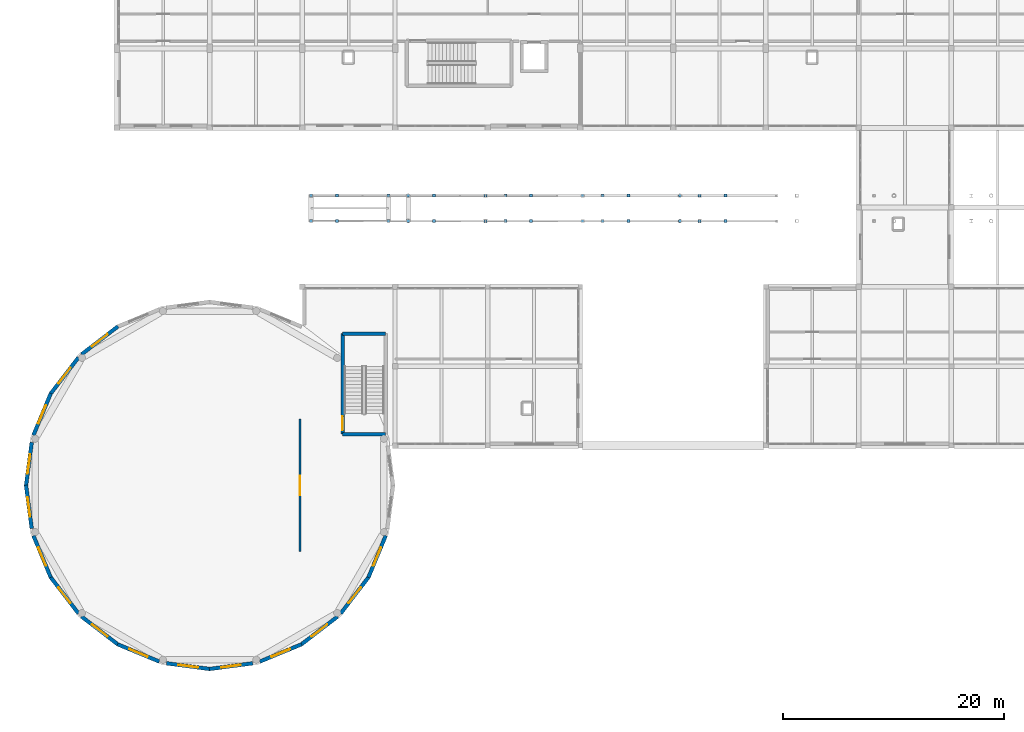
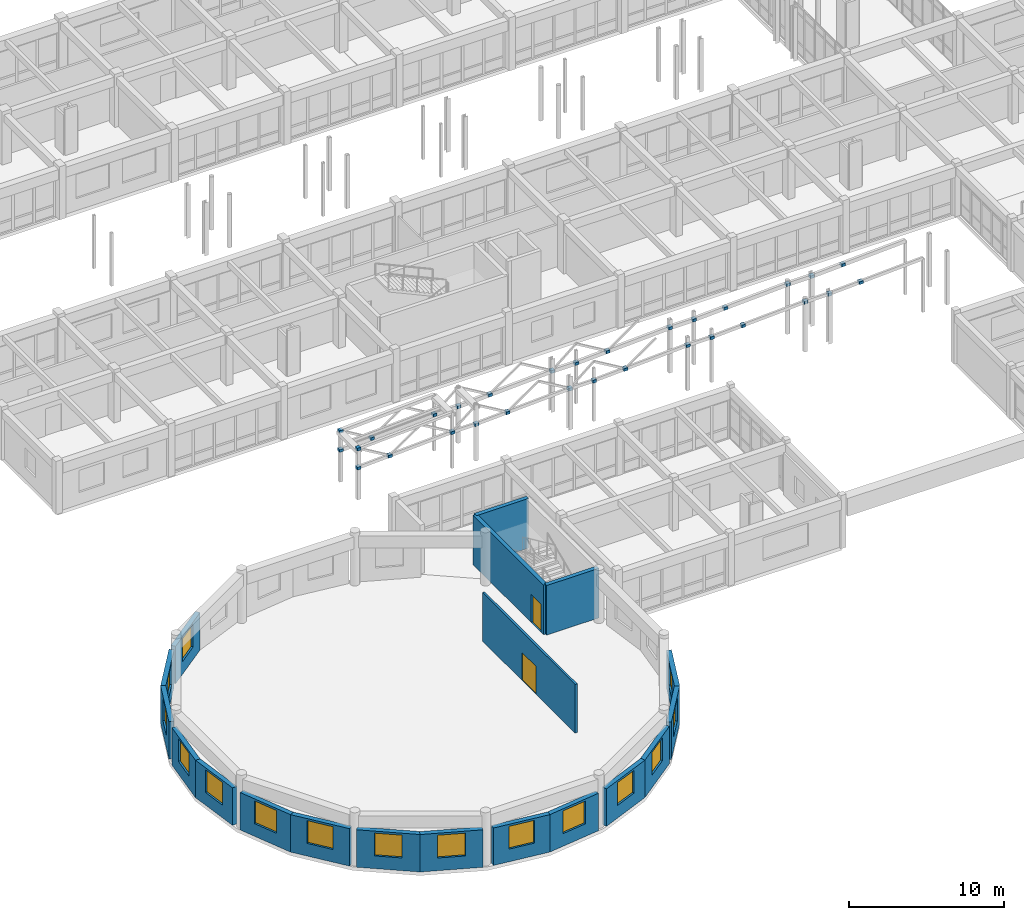
# One storey, part 124 of 147: 30 plates, 19 walls, 15 windows, 2 doors, 17 openings.
"""IFC4 building model written with IfcOpenShell, lengths in metres."""

from ifc_helpers import new_model, si_unit, direction, frame, frame_2d, origin, origin_2d, place, context, subcontext, project, spatial, rectangle, extrude, material, layer, layer_set, type_object, element, fill, save


model = new_model("IFC4")

# Units and contexts
model_context = context("Model", 3, precision=1e-05, world=origin(), true_north=direction((0.0, 1.0)))
body_context = subcontext(model_context, "Body", "Model", "MODEL_VIEW")
ifc_project = project(units=[si_unit("LENGTHUNIT", "METRE"), si_unit("AREAUNIT", "SQUARE_METRE"), si_unit("VOLUMEUNIT", "CUBIC_METRE"), si_unit("PLANEANGLEUNIT", "RADIAN"), si_unit("MASSUNIT", "GRAM", prefix="KILO")], contexts=[model_context])

# Site, building, storey
site_placement = place(None, origin())
site = spatial("IfcSite", under=ifc_project, at=site_placement, CompositionType="ELEMENT")
building_placement = place(site_placement, origin())
building = spatial("IfcBuilding", under=site, at=building_placement, Name="Malvenik Polytechnic", CompositionType="ELEMENT")
storey_placement = place(building_placement, frame((0.0, 0.0, 5.10009765625)))
storey = spatial("IfcBuildingStorey", under=building, at=storey_placement, Name="L01", CompositionType="ELEMENT", Elevation=5.10009765625)

# Plates
ifc_material_1 = material(Name="Steel S355J2H", Category="steel")
ifc_layer_1 = layer(ifc_material_1, 0.034912109375)
ifc_layer_set_1 = layer_set([ifc_layer_1], Name="Steel S355J2H")
plate_type = type_object("IfcPlateType", Name="STR-PLT-NP-03", PredefinedType="USERDEFINED", material=ifc_layer_set_1)
for number, where, z_axis, x_axis, name in (
    (1, (26.0, 41.949951171875, 3.8701171875), (0.0, 0.0, 1.0), (1.0, 0.0, 0.0), "Warren Joint Node Plate RB-01"),
    (2, (26.0, 41.949951171875, 2.3701171875), (0.0, 0.0, 1.0), (1.0, 0.0, 0.0), "Warren Joint Node Plate RB-01"),
    (3, (33.0, 41.949951171875, 2.7197265625), (0.0, 0.0, 1.0), (1.0, 0.0, 0.0), "Warren Joint Node Plate RB-01"),
    (4, (34.800048828125, 41.949951171875, 2.7197265625), (0.0, 0.0, 1.0), (1.0, 0.0, 0.0), "Warren Joint Node Plate RB-01"),
    (5, (41.800048828125, 41.949951171875, 3.06982421875), (0.0, 0.0, 1.0), (1.0, 0.0, 0.0), "Warren Joint Node Plate RB-01"),
    (6, (43.60009765625, 41.949951171875, 3.06982421875), (0.0, 0.0, 1.0), (1.0, 0.0, 0.0), "Warren Joint Node Plate RB-01"),
    (7, (50.60009765625, 41.949951171875, 3.419921875), (0.0, 0.0, 1.0), (1.0, 0.0, 0.0), "Warren Joint Node Plate RB-01"),
    (8, (52.39990234375, 41.949951171875, 3.419921875), (0.0, 0.0, 1.0), (1.0, 0.0, 0.0), "Warren Joint Node Plate RB-01"),
    (9, (59.39990234375, 41.949951171875, 3.77001953125), (0.0, 0.0, 1.0), (1.0, 0.0, 0.0), "Warren Joint Node Plate RB-01"),
    (10, (61.199951171875, 41.949951171875, 3.77001953125), (0.0, 0.0, 1.0), (1.0, 0.0, 0.0), "Warren Joint Node Plate RB-01"),
    (11, (28.333251953125, 41.949951171875, 2.48681640625), (0.0, 0.0, 1.0), (1.0, 0.0, 0.0), "Warren Web Node Plate RB-01"),
    (12, (37.13330078125, 41.949951171875, 2.83642578125), (0.0, 0.0, 1.0), (1.0, 0.0, 0.0), "Warren Web Node Plate RB-01"),
    (13, (45.933349609375, 41.949951171875, 3.1865234375), (0.0, 0.0, 1.0), (1.0, 0.0, 0.0), "Warren Web Node Plate RB-01"),
    (14, (54.7333984375, 41.949951171875, 3.53662109375), (0.0, 0.0, 1.0), (1.0, 0.0, 0.0), "Warren Web Node Plate RB-01"),
    (15, (63.533203125, 41.949951171875, 3.88671875), (0.0, 0.0, 1.0), (1.0, 0.0, 0.0), "Warren Web Node Plate RB-01"),
    (16, (26.0, 44.25, 3.8701171875), (0.0, 0.0, 1.0), (1.0, 0.0, 0.0), "Warren Joint Node Plate RB-01"),
    (17, (26.0, 44.25, 2.3701171875), (0.0, 0.0, 1.0), (1.0, 0.0, 0.0), "Warren Joint Node Plate RB-01"),
    (18, (33.0, 44.25, 2.7197265625), (0.0, 0.0, 1.0), (1.0, 0.0, 0.0), "Warren Joint Node Plate RB-01"),
    (19, (34.800048828125, 44.25, 2.7197265625), (0.0, 0.0, 1.0), (1.0, 0.0, 0.0), "Warren Joint Node Plate RB-01"),
    (20, (41.800048828125, 44.25, 3.06982421875), (0.0, 0.0, 1.0), (1.0, 0.0, 0.0), "Warren Joint Node Plate RB-01"),
    (21, (43.60009765625, 44.25, 3.06982421875), (0.0, 0.0, 1.0), (1.0, 0.0, 0.0), "Warren Joint Node Plate RB-01"),
    (22, (50.60009765625, 44.25, 3.419921875), (0.0, 0.0, 1.0), (1.0, 0.0, 0.0), "Warren Joint Node Plate RB-01"),
    (23, (52.39990234375, 44.25, 3.419921875), (0.0, 0.0, 1.0), (1.0, 0.0, 0.0), "Warren Joint Node Plate RB-01"),
    (24, (59.39990234375, 44.25, 3.77001953125), (0.0, 0.0, 1.0), (1.0, 0.0, 0.0), "Warren Joint Node Plate RB-01"),
    (25, (61.199951171875, 44.25, 3.77001953125), (0.0, 0.0, 1.0), (1.0, 0.0, 0.0), "Warren Joint Node Plate RB-01"),
    (26, (28.333251953125, 44.25, 2.48681640625), (0.0, 0.0, 1.0), (1.0, 0.0, 0.0), "Warren Web Node Plate RB-01"),
    (27, (37.13330078125, 44.25, 2.83642578125), (0.0, 0.0, 1.0), (1.0, 0.0, 0.0), "Warren Web Node Plate RB-01"),
    (28, (45.933349609375, 44.25, 3.1865234375), (0.0, 0.0, 1.0), (1.0, 0.0, 0.0), "Warren Web Node Plate RB-01"),
    (29, (54.7333984375, 44.25, 3.53662109375), (0.0, 0.0, 1.0), (1.0, 0.0, 0.0), "Warren Web Node Plate RB-01"),
    (30, (63.533203125, 44.25, 3.88671875), (0.0, 0.0, 1.0), (1.0, 0.0, 0.0), "Warren Web Node Plate RB-01"),
):
    element("IfcPlate", number, at=place(storey_placement, frame(where, z_axis=z_axis, x_axis=x_axis)), inside=storey, type_object=plate_type, Name=name, ObjectType="GUSSET PLATE", PredefinedType="USERDEFINED", context=body_context, shape_type="SweptSolid", body=[
        extrude(rectangle(XDim=0.280029296875, YDim=0.280029296875, at=origin_2d()), origin(), (0.0, 0.0, 1.0), 0.219970703125),
    ])

# Wall
ifc_material_2 = material(Name="Concrete C35/45", Category="concrete")
ifc_layer_2 = layer(ifc_material_2, 0.300048828125)
ifc_layer_set_2 = layer_set([ifc_layer_2], Name="Concrete C35/45")
wall_type_1 = type_object("IfcWallType", Name="ARC-CW-S300", PredefinedType="SHEAR", material=ifc_layer_set_2)
wall_1_placement = place(storey_placement, frame((32.75, 22.64990234375, 0.0), z_axis=(0.0, 0.0, 1.0), x_axis=(-1.0, 0.0, 0.0)))
element("IfcWall", 31, at=wall_1_placement, inside=storey, type_object=wall_type_1, Name="Stair Core Shear Wall ST-09 L01 NEAR", PredefinedType="SHEAR", context=body_context, shape_type="SweptSolid", body=[
    extrude(rectangle(XDim=3.89990234375, YDim=0.300048828125, at=frame_2d((1.949951171875, 0.0))), origin(), (0.0, 0.0, 1.0), 3.919921875),
])

# Wall, opening, door
wall_2_placement = place(storey_placement, frame((28.85009765625, 22.64990234375, 0.0), z_axis=(0.0, 0.0, 1.0), x_axis=(0.0, 1.0, 0.0)))
wall_2 = element("IfcWall", 32, at=wall_2_placement, inside=storey, type_object=wall_type_1, Name="Stair Core Shear Wall ST-09 L01 RGHT", PredefinedType="SHEAR", context=body_context, shape_type="SweptSolid", body=[
    extrude(rectangle(XDim=9.10009765625, YDim=0.300048828125, at=frame_2d((4.550048828125, 0.0))), origin(), (0.0, 0.0, 1.0), 3.919921875),
])
opening_1_placement = place(wall_2_placement, frame((0.35009765625, 0.0, 0.0)))
opening_1 = element("IfcOpeningElement", 33, at=opening_1_placement, cuts=wall_2, Name="Opening SD-02", PredefinedType="OPENING", context=body_context, shape_type="SweptSolid", body=[
    extrude(rectangle(XDim=1.25, YDim=2.199951171875, at=frame_2d((0.625, 1.10009765625))), frame((0.0, 0.16015625, 0.0), z_axis=(0.0, -1.0, 0.0), x_axis=(1.0, 0.0, 0.0)), (0.0, 0.0, 1.0), 0.320068359375),
])
ifc_material_3 = material(Name="Fire-rated steel stair enclosure door", Category="steel")
door_type_1 = type_object("IfcDoorType", Name="ARC-IDR-SD-02", OperationType="NOTDEFINED", PredefinedType="DOOR", material=ifc_material_3)
door_1_placement = place(opening_1_placement, origin())
door_1 = element("IfcDoor", 34, at=door_1_placement, inside=storey, type_object=door_type_1, Name="Fire Stair Door ST-09 L01", OperationType="SINGLE_SWING_RIGHT", OverallHeight=2.199951171875, OverallWidth=1.25, PredefinedType="DOOR", context=body_context, shape_type="SweptSolid", body=[
    extrude(rectangle(XDim=1.25, YDim=2.199951171875, at=frame_2d((0.625, 1.10009765625))), frame((0.0, 0.02490234375, 0.0), z_axis=(0.0, -1.0, 0.0), x_axis=(1.0, 0.0, 0.0)), (0.0, 0.0, 1.0), 0.050048828125),
])
fill(opening_1, door_1)

# Wall
wall_3_placement = place(storey_placement, frame((28.85009765625, 31.75, 0.0), z_axis=(0.0, 0.0, 1.0), x_axis=(1.0, 0.0, 0.0)))
element("IfcWall", 35, at=wall_3_placement, inside=storey, type_object=wall_type_1, Name="Stair Core Shear Wall ST-09 L01 FAR", PredefinedType="SHEAR", context=body_context, shape_type="SweptSolid", body=[
    extrude(rectangle(XDim=3.89990234375, YDim=0.300048828125, at=frame_2d((1.949951171875, 0.0))), origin(), (0.0, 0.0, 1.0), 3.919921875),
])

# Wall, opening, window
ifc_material_4 = material(Name="Concrete C30/37", Category="concrete")
ifc_layer_3 = layer(ifc_material_4, 0.340087890625)
ifc_layer_set_3 = layer_set([ifc_layer_3], Name="Concrete C30/37")
wall_type_2 = type_object("IfcWallType", Name="ARC-EW-340", PredefinedType="SOLIDWALL", material=ifc_layer_set_3)
wall_4_placement = place(storey_placement, frame((31.21435546875, 9.70361328125, 0.0), z_axis=(0.0, 0.0, 1.0), x_axis=(-0.608750869434, -0.793361442826, 0.0)))
wall_4 = element("IfcWall", 36, at=wall_4_placement, inside=storey, type_object=wall_type_2, Name="External Facade Wall EW-02 L01 #245", PredefinedType="SOLIDWALL", context=body_context, shape_type="SweptSolid", body=[
    extrude(rectangle(XDim=4.156494140625, YDim=0.340087890625, at=frame_2d((2.078125, 0.0))), origin(), (0.0, 0.0, 1.0), 2.9599609375),
])
opening_2_placement = place(wall_4_placement, frame((1.17822265625, 0.0, 1.0)))
opening_2 = element("IfcOpeningElement", 37, at=opening_2_placement, cuts=wall_4, Name="Opening W-OC1", PredefinedType="OPENING", context=body_context, shape_type="SweptSolid", body=[
    extrude(rectangle(XDim=1.800048828125, YDim=1.800048828125, at=frame_2d((0.89990234375, 0.89990234375))), frame((0.0, 0.18017578125, 0.0), z_axis=(0.0, -1.0, 0.0), x_axis=(1.0, 0.0, 0.0)), (0.0, 0.0, 1.0), 0.360107421875),
])
ifc_material_5 = material(Name="Thermally broken aluminium frame with low-E double glazing", Category="aluminium")
window_type = type_object("IfcWindowType", Name="ARC-WIN-W-OC1", PartitioningType="SINGLE_PANEL", PredefinedType="WINDOW", material=ifc_material_5)
window_1_placement = place(opening_2_placement, origin())
window_1 = element("IfcWindow", 38, at=window_1_placement, inside=storey, type_object=window_type, Name="Rotunda Ocular Window W-OC1 L01 #211", OverallHeight=1.800048828125, OverallWidth=1.800048828125, PartitioningType="SINGLE_PANEL", PredefinedType="WINDOW", context=body_context, shape_type="SweptSolid", body=[
    extrude(rectangle(XDim=1.800048828125, YDim=1.800048828125, at=frame_2d((0.89990234375, 0.89990234375))), frame((0.0, 0.030029296875, 0.0), z_axis=(0.0, -1.0, 0.0), x_axis=(1.0, 0.0, 0.0)), (0.0, 0.0, 1.0), 0.06005859375),
])
fill(opening_2, window_1)

wall_5_placement = place(storey_placement, frame((28.39404296875, 6.115966796875, 0.0), z_axis=(0.0, 0.0, 1.0), x_axis=(-0.793361442826, -0.608750869434, 0.0)))
wall_5 = element("IfcWall", 39, at=wall_5_placement, inside=storey, type_object=wall_type_2, Name="External Facade Wall EW-02 L01 #246", PredefinedType="SOLIDWALL", context=body_context, shape_type="SweptSolid", body=[
    extrude(rectangle(XDim=4.156494140625, YDim=0.340087890625, at=frame_2d((2.078125, 0.0))), origin(), (0.0, 0.0, 1.0), 2.9599609375),
])
opening_3_placement = place(wall_5_placement, frame((1.17822265625, 0.0, 1.0)))
opening_3 = element("IfcOpeningElement", 40, at=opening_3_placement, cuts=wall_5, Name="Opening W-OC1", PredefinedType="OPENING", context=body_context, shape_type="SweptSolid", body=[
    extrude(rectangle(XDim=1.800048828125, YDim=1.800048828125, at=frame_2d((0.89990234375, 0.89990234375))), frame((0.0, 0.18017578125, 0.0), z_axis=(0.0, -1.0, 0.0), x_axis=(1.0, 0.0, 0.0)), (0.0, 0.0, 1.0), 0.360107421875),
])
window_2_placement = place(opening_3_placement, origin())
window_2 = element("IfcWindow", 41, at=window_2_placement, inside=storey, type_object=window_type, Name="Rotunda Ocular Window W-OC1 L01 #212", OverallHeight=1.800048828125, OverallWidth=1.800048828125, PartitioningType="SINGLE_PANEL", PredefinedType="WINDOW", context=body_context, shape_type="SweptSolid", body=[
    extrude(rectangle(XDim=1.800048828125, YDim=1.800048828125, at=frame_2d((0.89990234375, 0.89990234375))), frame((0.0, 0.030029296875, 0.0), z_axis=(0.0, -1.0, 0.0), x_axis=(1.0, 0.0, 0.0)), (0.0, 0.0, 1.0), 0.06005859375),
])
fill(opening_3, window_2)

wall_6_placement = place(storey_placement, frame((25.135009765625, 3.60791015625, 0.0), z_axis=(0.0, 0.0, 1.0), x_axis=(-0.923864101576, -0.382720683815, 0.0)))
wall_6 = element("IfcWall", 42, at=wall_6_placement, inside=storey, type_object=wall_type_2, Name="External Facade Wall EW-02 L01 #247", PredefinedType="SOLIDWALL", context=body_context, shape_type="SweptSolid", body=[
    extrude(rectangle(XDim=4.091552734375, YDim=0.340087890625, at=frame_2d((2.0458984375, 0.0))), origin(), (0.0, 0.0, 1.0), 2.9599609375),
])
opening_4_placement = place(wall_6_placement, frame((1.145751953125, 0.0, 1.0)))
opening_4 = element("IfcOpeningElement", 43, at=opening_4_placement, cuts=wall_6, Name="Opening W-OC1", PredefinedType="OPENING", context=body_context, shape_type="SweptSolid", body=[
    extrude(rectangle(XDim=1.800048828125, YDim=1.800048828125, at=frame_2d((0.89990234375, 0.89990234375))), frame((0.0, 0.18017578125, 0.0), z_axis=(0.0, -1.0, 0.0), x_axis=(1.0, 0.0, 0.0)), (0.0, 0.0, 1.0), 0.360107421875),
])
window_3_placement = place(opening_4_placement, origin())
window_3 = element("IfcWindow", 44, at=window_3_placement, inside=storey, type_object=window_type, Name="Rotunda Ocular Window W-OC1 L01 #213", OverallHeight=1.800048828125, OverallWidth=1.800048828125, PartitioningType="SINGLE_PANEL", PredefinedType="WINDOW", context=body_context, shape_type="SweptSolid", body=[
    extrude(rectangle(XDim=1.800048828125, YDim=1.800048828125, at=frame_2d((0.89990234375, 0.89990234375))), frame((0.0, 0.030029296875, 0.0), z_axis=(0.0, -1.0, 0.0), x_axis=(1.0, 0.0, 0.0)), (0.0, 0.0, 1.0), 0.06005859375),
])
fill(opening_4, window_3)

wall_7_placement = place(storey_placement, frame((20.708984375, 1.885986328125, 0.0), z_axis=(0.0, 0.0, 1.0), x_axis=(-0.991443813666, -0.130534150104, 0.0)))
wall_7 = element("IfcWall", 45, at=wall_7_placement, inside=storey, type_object=wall_type_2, Name="External Facade Wall EW-02 L01 #248", PredefinedType="SOLIDWALL", context=body_context, shape_type="SweptSolid", body=[
    extrude(rectangle(XDim=3.965087890625, YDim=0.340087890625, at=frame_2d((1.982421875, 0.0))), origin(), (0.0, 0.0, 1.0), 2.9599609375),
])
opening_5_placement = place(wall_7_placement, frame((1.08251953125, 0.0, 1.0)))
opening_5 = element("IfcOpeningElement", 46, at=opening_5_placement, cuts=wall_7, Name="Opening W-OC1", PredefinedType="OPENING", context=body_context, shape_type="SweptSolid", body=[
    extrude(rectangle(XDim=1.800048828125, YDim=1.800048828125, at=frame_2d((0.89990234375, 0.89990234375))), frame((0.0, 0.18017578125, 0.0), z_axis=(0.0, -1.0, 0.0), x_axis=(1.0, 0.0, 0.0)), (0.0, 0.0, 1.0), 0.360107421875),
])
window_4_placement = place(opening_5_placement, origin())
window_4 = element("IfcWindow", 47, at=window_4_placement, inside=storey, type_object=window_type, Name="Rotunda Ocular Window W-OC1 L01 #214", OverallHeight=1.800048828125, OverallWidth=1.800048828125, PartitioningType="SINGLE_PANEL", PredefinedType="WINDOW", context=body_context, shape_type="SweptSolid", body=[
    extrude(rectangle(XDim=1.800048828125, YDim=1.800048828125, at=frame_2d((0.89990234375, 0.89990234375))), frame((0.0, 0.030029296875, 0.0), z_axis=(0.0, -1.0, 0.0), x_axis=(1.0, 0.0, 0.0)), (0.0, 0.0, 1.0), 0.06005859375),
])
fill(opening_5, window_4)

wall_8_placement = place(storey_placement, frame((16.822265625, 1.368408203125, 0.0), z_axis=(0.0, 0.0, 1.0), x_axis=(-0.991443813666, 0.130534150104, 0.0)))
wall_8 = element("IfcWall", 48, at=wall_8_placement, inside=storey, type_object=wall_type_2, Name="External Facade Wall EW-02 L01 #249", PredefinedType="SOLIDWALL", context=body_context, shape_type="SweptSolid", body=[
    extrude(rectangle(XDim=3.965087890625, YDim=0.340087890625, at=frame_2d((1.982421875, 0.0))), origin(), (0.0, 0.0, 1.0), 2.9599609375),
])
opening_6_placement = place(wall_8_placement, frame((1.08251953125, 0.0, 1.0)))
opening_6 = element("IfcOpeningElement", 49, at=opening_6_placement, cuts=wall_8, Name="Opening W-OC1", PredefinedType="OPENING", context=body_context, shape_type="SweptSolid", body=[
    extrude(rectangle(XDim=1.800048828125, YDim=1.800048828125, at=frame_2d((0.89990234375, 0.89990234375))), frame((0.0, 0.18017578125, 0.0), z_axis=(0.0, -1.0, 0.0), x_axis=(1.0, 0.0, 0.0)), (0.0, 0.0, 1.0), 0.360107421875),
])
window_5_placement = place(opening_6_placement, origin())
window_5 = element("IfcWindow", 50, at=window_5_placement, inside=storey, type_object=window_type, Name="Rotunda Ocular Window W-OC1 L01 #215", OverallHeight=1.800048828125, OverallWidth=1.800048828125, PartitioningType="SINGLE_PANEL", PredefinedType="WINDOW", context=body_context, shape_type="SweptSolid", body=[
    extrude(rectangle(XDim=1.800048828125, YDim=1.800048828125, at=frame_2d((0.89990234375, 0.89990234375))), frame((0.0, 0.030029296875, 0.0), z_axis=(0.0, -1.0, 0.0), x_axis=(1.0, 0.0, 0.0)), (0.0, 0.0, 1.0), 0.06005859375),
])
fill(opening_6, window_5)

wall_9_placement = place(storey_placement, frame((12.2451171875, 2.0419921875, 0.0), z_axis=(0.0, 0.0, 1.0), x_axis=(-0.923864101576, 0.382720683815, 0.0)))
wall_9 = element("IfcWall", 51, at=wall_9_placement, inside=storey, type_object=wall_type_2, Name="External Facade Wall EW-02 L01 #250", PredefinedType="SOLIDWALL", context=body_context, shape_type="SweptSolid", body=[
    extrude(rectangle(XDim=4.091552734375, YDim=0.340087890625, at=frame_2d((2.0458984375, 0.0))), origin(), (0.0, 0.0, 1.0), 2.9599609375),
])
opening_7_placement = place(wall_9_placement, frame((1.145751953125, 0.0, 1.0)))
opening_7 = element("IfcOpeningElement", 52, at=opening_7_placement, cuts=wall_9, Name="Opening W-OC1", PredefinedType="OPENING", context=body_context, shape_type="SweptSolid", body=[
    extrude(rectangle(XDim=1.800048828125, YDim=1.800048828125, at=frame_2d((0.89990234375, 0.89990234375))), frame((0.0, 0.18017578125, 0.0), z_axis=(0.0, -1.0, 0.0), x_axis=(1.0, 0.0, 0.0)), (0.0, 0.0, 1.0), 0.360107421875),
])
window_6_placement = place(opening_7_placement, origin())
window_6 = element("IfcWindow", 53, at=window_6_placement, inside=storey, type_object=window_type, Name="Rotunda Ocular Window W-OC1 L01 #216", OverallHeight=1.800048828125, OverallWidth=1.800048828125, PartitioningType="SINGLE_PANEL", PredefinedType="WINDOW", context=body_context, shape_type="SweptSolid", body=[
    extrude(rectangle(XDim=1.800048828125, YDim=1.800048828125, at=frame_2d((0.89990234375, 0.89990234375))), frame((0.0, 0.030029296875, 0.0), z_axis=(0.0, -1.0, 0.0), x_axis=(1.0, 0.0, 0.0)), (0.0, 0.0, 1.0), 0.06005859375),
])
fill(opening_7, window_6)

wall_10_placement = place(storey_placement, frame((8.50341796875, 3.585693359375, 0.0), z_axis=(0.0, 0.0, 1.0), x_axis=(-0.793361442826, 0.608750869434, 0.0)))
wall_10 = element("IfcWall", 54, at=wall_10_placement, inside=storey, type_object=wall_type_2, Name="External Facade Wall EW-02 L01 #251", PredefinedType="SOLIDWALL", context=body_context, shape_type="SweptSolid", body=[
    extrude(rectangle(XDim=4.156494140625, YDim=0.340087890625, at=frame_2d((2.078125, 0.0))), origin(), (0.0, 0.0, 1.0), 2.9599609375),
])
opening_8_placement = place(wall_10_placement, frame((1.17822265625, 0.0, 1.0)))
opening_8 = element("IfcOpeningElement", 55, at=opening_8_placement, cuts=wall_10, Name="Opening W-OC1", PredefinedType="OPENING", context=body_context, shape_type="SweptSolid", body=[
    extrude(rectangle(XDim=1.800048828125, YDim=1.800048828125, at=frame_2d((0.89990234375, 0.89990234375))), frame((0.0, 0.18017578125, 0.0), z_axis=(0.0, -1.0, 0.0), x_axis=(1.0, 0.0, 0.0)), (0.0, 0.0, 1.0), 0.360107421875),
])
window_7_placement = place(opening_8_placement, origin())
window_7 = element("IfcWindow", 56, at=window_7_placement, inside=storey, type_object=window_type, Name="Rotunda Ocular Window W-OC1 L01 #217", OverallHeight=1.800048828125, OverallWidth=1.800048828125, PartitioningType="SINGLE_PANEL", PredefinedType="WINDOW", context=body_context, shape_type="SweptSolid", body=[
    extrude(rectangle(XDim=1.800048828125, YDim=1.800048828125, at=frame_2d((0.89990234375, 0.89990234375))), frame((0.0, 0.030029296875, 0.0), z_axis=(0.0, -1.0, 0.0), x_axis=(1.0, 0.0, 0.0)), (0.0, 0.0, 1.0), 0.06005859375),
])
fill(opening_8, window_7)

wall_11_placement = place(storey_placement, frame((4.916015625, 6.406005859375, 0.0), z_axis=(0.0, 0.0, 1.0), x_axis=(-0.608750869434, 0.793361442826, 0.0)))
wall_11 = element("IfcWall", 57, at=wall_11_placement, inside=storey, type_object=wall_type_2, Name="External Facade Wall EW-02 L01 #252", PredefinedType="SOLIDWALL", context=body_context, shape_type="SweptSolid", body=[
    extrude(rectangle(XDim=4.156494140625, YDim=0.340087890625, at=frame_2d((2.078125, 0.0))), origin(), (0.0, 0.0, 1.0), 2.9599609375),
])
opening_9_placement = place(wall_11_placement, frame((1.17822265625, 0.0, 1.0)))
opening_9 = element("IfcOpeningElement", 58, at=opening_9_placement, cuts=wall_11, Name="Opening W-OC1", PredefinedType="OPENING", context=body_context, shape_type="SweptSolid", body=[
    extrude(rectangle(XDim=1.800048828125, YDim=1.800048828125, at=frame_2d((0.89990234375, 0.89990234375))), frame((0.0, 0.18017578125, 0.0), z_axis=(0.0, -1.0, 0.0), x_axis=(1.0, 0.0, 0.0)), (0.0, 0.0, 1.0), 0.360107421875),
])
window_8_placement = place(opening_9_placement, origin())
window_8 = element("IfcWindow", 59, at=window_8_placement, inside=storey, type_object=window_type, Name="Rotunda Ocular Window W-OC1 L01 #218", OverallHeight=1.800048828125, OverallWidth=1.800048828125, PartitioningType="SINGLE_PANEL", PredefinedType="WINDOW", context=body_context, shape_type="SweptSolid", body=[
    extrude(rectangle(XDim=1.800048828125, YDim=1.800048828125, at=frame_2d((0.89990234375, 0.89990234375))), frame((0.0, 0.030029296875, 0.0), z_axis=(0.0, -1.0, 0.0), x_axis=(1.0, 0.0, 0.0)), (0.0, 0.0, 1.0), 0.06005859375),
])
fill(opening_9, window_8)

wall_12_placement = place(storey_placement, frame((2.407958984375, 9.6650390625, 0.0), z_axis=(0.0, 0.0, 1.0), x_axis=(-0.382720683815, 0.923864101576, 0.0)))
wall_12 = element("IfcWall", 60, at=wall_12_placement, inside=storey, type_object=wall_type_2, Name="External Facade Wall EW-02 L01 #253", PredefinedType="SOLIDWALL", context=body_context, shape_type="SweptSolid", body=[
    extrude(rectangle(XDim=4.091552734375, YDim=0.340087890625, at=frame_2d((2.0458984375, 0.0))), origin(), (0.0, 0.0, 1.0), 2.9599609375),
])
opening_10_placement = place(wall_12_placement, frame((1.145751953125, 0.0, 1.0)))
opening_10 = element("IfcOpeningElement", 61, at=opening_10_placement, cuts=wall_12, Name="Opening W-OC1", PredefinedType="OPENING", context=body_context, shape_type="SweptSolid", body=[
    extrude(rectangle(XDim=1.800048828125, YDim=1.800048828125, at=frame_2d((0.89990234375, 0.89990234375))), frame((0.0, 0.18017578125, 0.0), z_axis=(0.0, -1.0, 0.0), x_axis=(1.0, 0.0, 0.0)), (0.0, 0.0, 1.0), 0.360107421875),
])
window_9_placement = place(opening_10_placement, origin())
window_9 = element("IfcWindow", 62, at=window_9_placement, inside=storey, type_object=window_type, Name="Rotunda Ocular Window W-OC1 L01 #219", OverallHeight=1.800048828125, OverallWidth=1.800048828125, PartitioningType="SINGLE_PANEL", PredefinedType="WINDOW", context=body_context, shape_type="SweptSolid", body=[
    extrude(rectangle(XDim=1.800048828125, YDim=1.800048828125, at=frame_2d((0.89990234375, 0.89990234375))), frame((0.0, 0.030029296875, 0.0), z_axis=(0.0, -1.0, 0.0), x_axis=(1.0, 0.0, 0.0)), (0.0, 0.0, 1.0), 0.06005859375),
])
fill(opening_10, window_9)

wall_13_placement = place(storey_placement, frame((0.68603515625, 14.091064453125, 0.0), z_axis=(0.0, 0.0, 1.0), x_axis=(-0.130534150104, 0.991443813666, 0.0)))
wall_13 = element("IfcWall", 63, at=wall_13_placement, inside=storey, type_object=wall_type_2, Name="External Facade Wall EW-02 L01 #254", PredefinedType="SOLIDWALL", context=body_context, shape_type="SweptSolid", body=[
    extrude(rectangle(XDim=3.965087890625, YDim=0.340087890625, at=frame_2d((1.982421875, 0.0))), origin(), (0.0, 0.0, 1.0), 2.9599609375),
])
opening_11_placement = place(wall_13_placement, frame((1.08251953125, 0.0, 1.0)))
opening_11 = element("IfcOpeningElement", 64, at=opening_11_placement, cuts=wall_13, Name="Opening W-OC1", PredefinedType="OPENING", context=body_context, shape_type="SweptSolid", body=[
    extrude(rectangle(XDim=1.800048828125, YDim=1.800048828125, at=frame_2d((0.89990234375, 0.89990234375))), frame((0.0, 0.18017578125, 0.0), z_axis=(0.0, -1.0, 0.0), x_axis=(1.0, 0.0, 0.0)), (0.0, 0.0, 1.0), 0.360107421875),
])
window_10_placement = place(opening_11_placement, origin())
window_10 = element("IfcWindow", 65, at=window_10_placement, inside=storey, type_object=window_type, Name="Rotunda Ocular Window W-OC1 L01 #220", OverallHeight=1.800048828125, OverallWidth=1.800048828125, PartitioningType="SINGLE_PANEL", PredefinedType="WINDOW", context=body_context, shape_type="SweptSolid", body=[
    extrude(rectangle(XDim=1.800048828125, YDim=1.800048828125, at=frame_2d((0.89990234375, 0.89990234375))), frame((0.0, 0.030029296875, 0.0), z_axis=(0.0, -1.0, 0.0), x_axis=(1.0, 0.0, 0.0)), (0.0, 0.0, 1.0), 0.06005859375),
])
fill(opening_11, window_10)

wall_14_placement = place(storey_placement, frame((0.16845703125, 17.977783203125, 0.0), z_axis=(0.0, 0.0, 1.0), x_axis=(0.130534150104, 0.991443813666, 0.0)))
wall_14 = element("IfcWall", 66, at=wall_14_placement, inside=storey, type_object=wall_type_2, Name="External Facade Wall EW-02 L01 #255", PredefinedType="SOLIDWALL", context=body_context, shape_type="SweptSolid", body=[
    extrude(rectangle(XDim=3.965087890625, YDim=0.340087890625, at=frame_2d((1.982421875, 0.0))), origin(), (0.0, 0.0, 1.0), 2.9599609375),
])
opening_12_placement = place(wall_14_placement, frame((1.08251953125, 0.0, 1.0)))
opening_12 = element("IfcOpeningElement", 67, at=opening_12_placement, cuts=wall_14, Name="Opening W-OC1", PredefinedType="OPENING", context=body_context, shape_type="SweptSolid", body=[
    extrude(rectangle(XDim=1.800048828125, YDim=1.800048828125, at=frame_2d((0.89990234375, 0.89990234375))), frame((0.0, 0.18017578125, 0.0), z_axis=(0.0, -1.0, 0.0), x_axis=(1.0, 0.0, 0.0)), (0.0, 0.0, 1.0), 0.360107421875),
])
window_11_placement = place(opening_12_placement, origin())
window_11 = element("IfcWindow", 68, at=window_11_placement, inside=storey, type_object=window_type, Name="Rotunda Ocular Window W-OC1 L01 #221", OverallHeight=1.800048828125, OverallWidth=1.800048828125, PartitioningType="SINGLE_PANEL", PredefinedType="WINDOW", context=body_context, shape_type="SweptSolid", body=[
    extrude(rectangle(XDim=1.800048828125, YDim=1.800048828125, at=frame_2d((0.89990234375, 0.89990234375))), frame((0.0, 0.030029296875, 0.0), z_axis=(0.0, -1.0, 0.0), x_axis=(1.0, 0.0, 0.0)), (0.0, 0.0, 1.0), 0.06005859375),
])
fill(opening_12, window_11)

wall_15_placement = place(storey_placement, frame((0.842041015625, 22.554931640625, 0.0), z_axis=(0.0, 0.0, 1.0), x_axis=(0.382720683815, 0.923864101576, 0.0)))
wall_15 = element("IfcWall", 69, at=wall_15_placement, inside=storey, type_object=wall_type_2, Name="External Facade Wall EW-02 L01 #256", PredefinedType="SOLIDWALL", context=body_context, shape_type="SweptSolid", body=[
    extrude(rectangle(XDim=4.091552734375, YDim=0.340087890625, at=frame_2d((2.0458984375, 0.0))), origin(), (0.0, 0.0, 1.0), 2.9599609375),
])
opening_13_placement = place(wall_15_placement, frame((1.145751953125, 0.0, 1.0)))
opening_13 = element("IfcOpeningElement", 70, at=opening_13_placement, cuts=wall_15, Name="Opening W-OC1", PredefinedType="OPENING", context=body_context, shape_type="SweptSolid", body=[
    extrude(rectangle(XDim=1.800048828125, YDim=1.800048828125, at=frame_2d((0.89990234375, 0.89990234375))), frame((0.0, 0.18017578125, 0.0), z_axis=(0.0, -1.0, 0.0), x_axis=(1.0, 0.0, 0.0)), (0.0, 0.0, 1.0), 0.360107421875),
])
window_12_placement = place(opening_13_placement, origin())
window_12 = element("IfcWindow", 71, at=window_12_placement, inside=storey, type_object=window_type, Name="Rotunda Ocular Window W-OC1 L01 #222", OverallHeight=1.800048828125, OverallWidth=1.800048828125, PartitioningType="SINGLE_PANEL", PredefinedType="WINDOW", context=body_context, shape_type="SweptSolid", body=[
    extrude(rectangle(XDim=1.800048828125, YDim=1.800048828125, at=frame_2d((0.89990234375, 0.89990234375))), frame((0.0, 0.030029296875, 0.0), z_axis=(0.0, -1.0, 0.0), x_axis=(1.0, 0.0, 0.0)), (0.0, 0.0, 1.0), 0.06005859375),
])
fill(opening_13, window_12)

wall_16_placement = place(storey_placement, frame((2.3857421875, 26.29638671875, 0.0), z_axis=(0.0, 0.0, 1.0), x_axis=(0.608750869434, 0.793361442826, 0.0)))
wall_16 = element("IfcWall", 72, at=wall_16_placement, inside=storey, type_object=wall_type_2, Name="External Facade Wall EW-02 L01 #257", PredefinedType="SOLIDWALL", context=body_context, shape_type="SweptSolid", body=[
    extrude(rectangle(XDim=4.156494140625, YDim=0.340087890625, at=frame_2d((2.078125, 0.0))), origin(), (0.0, 0.0, 1.0), 2.9599609375),
])
opening_14_placement = place(wall_16_placement, frame((1.17822265625, 0.0, 1.0)))
opening_14 = element("IfcOpeningElement", 73, at=opening_14_placement, cuts=wall_16, Name="Opening W-OC1", PredefinedType="OPENING", context=body_context, shape_type="SweptSolid", body=[
    extrude(rectangle(XDim=1.800048828125, YDim=1.800048828125, at=frame_2d((0.89990234375, 0.89990234375))), frame((0.0, 0.18017578125, 0.0), z_axis=(0.0, -1.0, 0.0), x_axis=(1.0, 0.0, 0.0)), (0.0, 0.0, 1.0), 0.360107421875),
])
window_13_placement = place(opening_14_placement, origin())
window_13 = element("IfcWindow", 74, at=window_13_placement, inside=storey, type_object=window_type, Name="Rotunda Ocular Window W-OC1 L01 #223", OverallHeight=1.800048828125, OverallWidth=1.800048828125, PartitioningType="SINGLE_PANEL", PredefinedType="WINDOW", context=body_context, shape_type="SweptSolid", body=[
    extrude(rectangle(XDim=1.800048828125, YDim=1.800048828125, at=frame_2d((0.89990234375, 0.89990234375))), frame((0.0, 0.030029296875, 0.0), z_axis=(0.0, -1.0, 0.0), x_axis=(1.0, 0.0, 0.0)), (0.0, 0.0, 1.0), 0.06005859375),
])
fill(opening_14, window_13)

wall_17_placement = place(storey_placement, frame((5.205810546875, 29.884033203125, 0.0), z_axis=(0.0, 0.0, 1.0), x_axis=(0.793361442826, 0.608750869434, 0.0)))
wall_17 = element("IfcWall", 75, at=wall_17_placement, inside=storey, type_object=wall_type_2, Name="External Facade Wall EW-02 L01 #258", PredefinedType="SOLIDWALL", context=body_context, shape_type="SweptSolid", body=[
    extrude(rectangle(XDim=4.156494140625, YDim=0.340087890625, at=frame_2d((2.078125, 0.0))), origin(), (0.0, 0.0, 1.0), 2.9599609375),
])
opening_15_placement = place(wall_17_placement, frame((1.17822265625, 0.0, 1.0)))
opening_15 = element("IfcOpeningElement", 76, at=opening_15_placement, cuts=wall_17, Name="Opening W-OC1", PredefinedType="OPENING", context=body_context, shape_type="SweptSolid", body=[
    extrude(rectangle(XDim=1.800048828125, YDim=1.800048828125, at=frame_2d((0.89990234375, 0.89990234375))), frame((0.0, 0.18017578125, 0.0), z_axis=(0.0, -1.0, 0.0), x_axis=(1.0, 0.0, 0.0)), (0.0, 0.0, 1.0), 0.360107421875),
])
window_14_placement = place(opening_15_placement, origin())
window_14 = element("IfcWindow", 77, at=window_14_placement, inside=storey, type_object=window_type, Name="Rotunda Ocular Window W-OC1 L01 #224", OverallHeight=1.800048828125, OverallWidth=1.800048828125, PartitioningType="SINGLE_PANEL", PredefinedType="WINDOW", context=body_context, shape_type="SweptSolid", body=[
    extrude(rectangle(XDim=1.800048828125, YDim=1.800048828125, at=frame_2d((0.89990234375, 0.89990234375))), frame((0.0, 0.030029296875, 0.0), z_axis=(0.0, -1.0, 0.0), x_axis=(1.0, 0.0, 0.0)), (0.0, 0.0, 1.0), 0.06005859375),
])
fill(opening_15, window_14)

wall_18_placement = place(storey_placement, frame((32.7578125, 13.445068359375, 0.0), z_axis=(0.0, 0.0, 1.0), x_axis=(-0.3826697526, -0.923885198737, 0.0)))
wall_18 = element("IfcWall", 78, at=wall_18_placement, inside=storey, type_object=wall_type_2, Name="External Facade Wall EW-02 L01 #268", PredefinedType="SOLIDWALL", context=body_context, shape_type="SweptSolid", body=[
    extrude(rectangle(XDim=4.091552734375, YDim=0.340087890625, at=frame_2d((2.0458984375, 0.0))), origin(), (0.0, 0.0, 1.0), 2.9599609375),
])
opening_16_placement = place(wall_18_placement, frame((1.145751953125, 0.0, 1.0)))
opening_16 = element("IfcOpeningElement", 79, at=opening_16_placement, cuts=wall_18, Name="Opening W-OC1", PredefinedType="OPENING", context=body_context, shape_type="SweptSolid", body=[
    extrude(rectangle(XDim=1.800048828125, YDim=1.800048828125, at=frame_2d((0.89990234375, 0.89990234375))), frame((0.0, 0.18017578125, 0.0), z_axis=(0.0, -1.0, 0.0), x_axis=(1.0, 0.0, 0.0)), (0.0, 0.0, 1.0), 0.360107421875),
])
window_15_placement = place(opening_16_placement, origin())
window_15 = element("IfcWindow", 80, at=window_15_placement, inside=storey, type_object=window_type, Name="Rotunda Ocular Window W-OC1 L01 #234", OverallHeight=1.800048828125, OverallWidth=1.800048828125, PartitioningType="SINGLE_PANEL", PredefinedType="WINDOW", context=body_context, shape_type="SweptSolid", body=[
    extrude(rectangle(XDim=1.800048828125, YDim=1.800048828125, at=frame_2d((0.89990234375, 0.89990234375))), frame((0.0, 0.030029296875, 0.0), z_axis=(0.0, -1.0, 0.0), x_axis=(1.0, 0.0, 0.0)), (0.0, 0.0, 1.0), 0.06005859375),
])
fill(opening_16, window_15)

# Wall, opening, door
ifc_material_6 = material(Name="Double-stud acoustic gypsum board partition 160mm", Category="gypsum")
ifc_layer_4 = layer(ifc_material_6, 0.159912109375)
ifc_layer_set_4 = layer_set([ifc_layer_4], Name="Double-stud acoustic gypsum board partition 160mm")
wall_type_3 = type_object("IfcWallType", Name="ARC-PW-160", PredefinedType="PARTITIONING", material=ifc_layer_set_4)
wall_19_placement = place(storey_placement, frame((25.0, 12.0, 0.0), z_axis=(0.0, 0.0, 1.0), x_axis=(0.0, 1.0, 0.0)))
wall_19 = element("IfcWall", 81, at=wall_19_placement, inside=storey, type_object=wall_type_3, Name="Interior Partition PW-01I L01 #233", PredefinedType="PARTITIONING", context=body_context, shape_type="SweptSolid", body=[
    extrude(rectangle(XDim=12.0, YDim=0.159912109375, at=frame_2d((6.0, 0.0))), origin(), (0.0, 0.0, 1.0), 3.849853515625),
])
opening_17_placement = place(wall_19_placement, frame((5.10009765625, 0.0, 0.0)))
opening_17 = element("IfcOpeningElement", 82, at=opening_17_placement, cuts=wall_19, Name="Opening FD-02", PredefinedType="OPENING", context=body_context, shape_type="SweptSolid", body=[
    extrude(rectangle(XDim=1.800048828125, YDim=2.199951171875, at=frame_2d((0.89990234375, 1.10009765625))), frame((0.0, 0.08984375, 0.0), z_axis=(0.0, -1.0, 0.0), x_axis=(1.0, 0.0, 0.0)), (0.0, 0.0, 1.0), 0.179931640625),
])
ifc_material_7 = material(Name="Fire-rated double-leaf corridor compartment door", Category="steel")
door_type_2 = type_object("IfcDoorType", Name="ARC-IDR-FD-02", OperationType="NOTDEFINED", PredefinedType="DOOR", material=ifc_material_7)
door_2_placement = place(opening_17_placement, origin())
door_2 = element("IfcDoor", 83, at=door_2_placement, inside=storey, type_object=door_type_2, Name="Interior Door FD-02 L01 #100", OperationType="DOUBLE_DOOR_SINGLE_SWING", OverallHeight=2.199951171875, OverallWidth=1.800048828125, PredefinedType="DOOR", context=body_context, shape_type="SweptSolid", body=[
    extrude(rectangle(XDim=1.800048828125, YDim=2.199951171875, at=frame_2d((0.89990234375, 1.10009765625))), frame((0.0, 0.02490234375, 0.0), z_axis=(0.0, -1.0, 0.0), x_axis=(1.0, 0.0, 0.0)), (0.0, 0.0, 1.0), 0.050048828125),
])
fill(opening_17, door_2)

save(model, "model.ifc")
